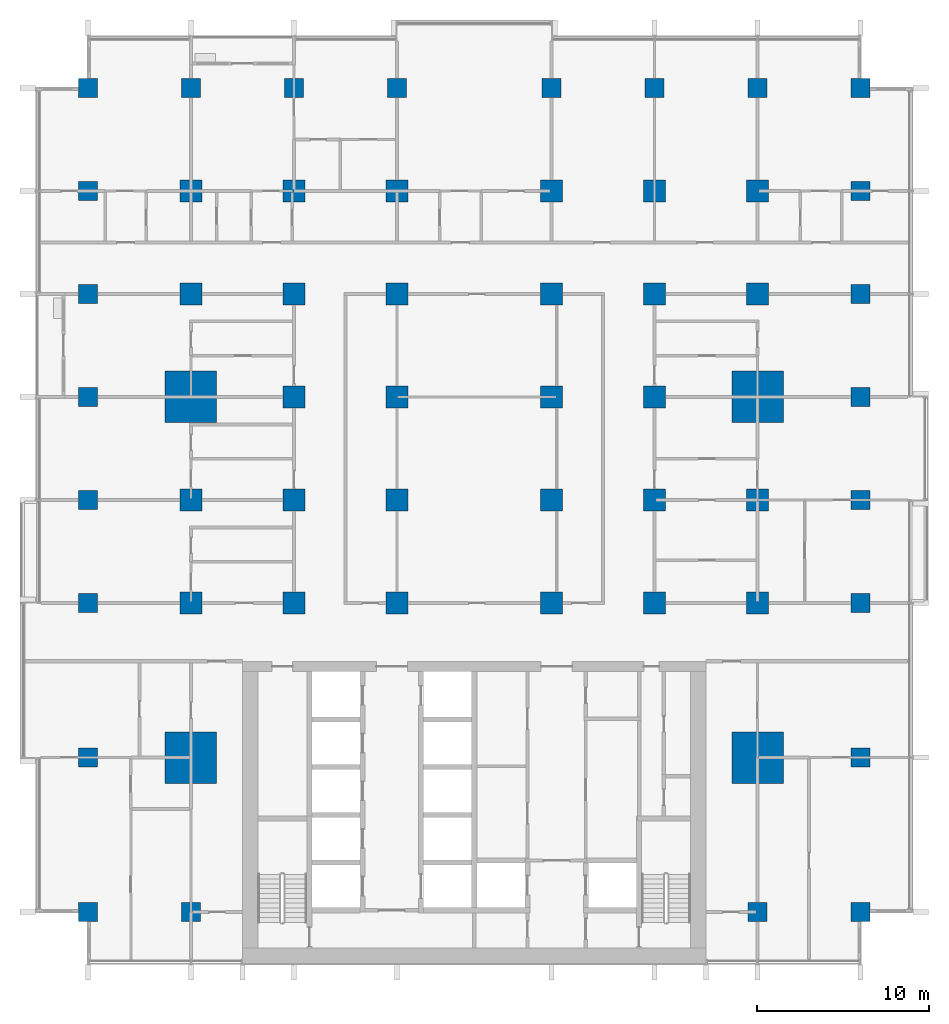
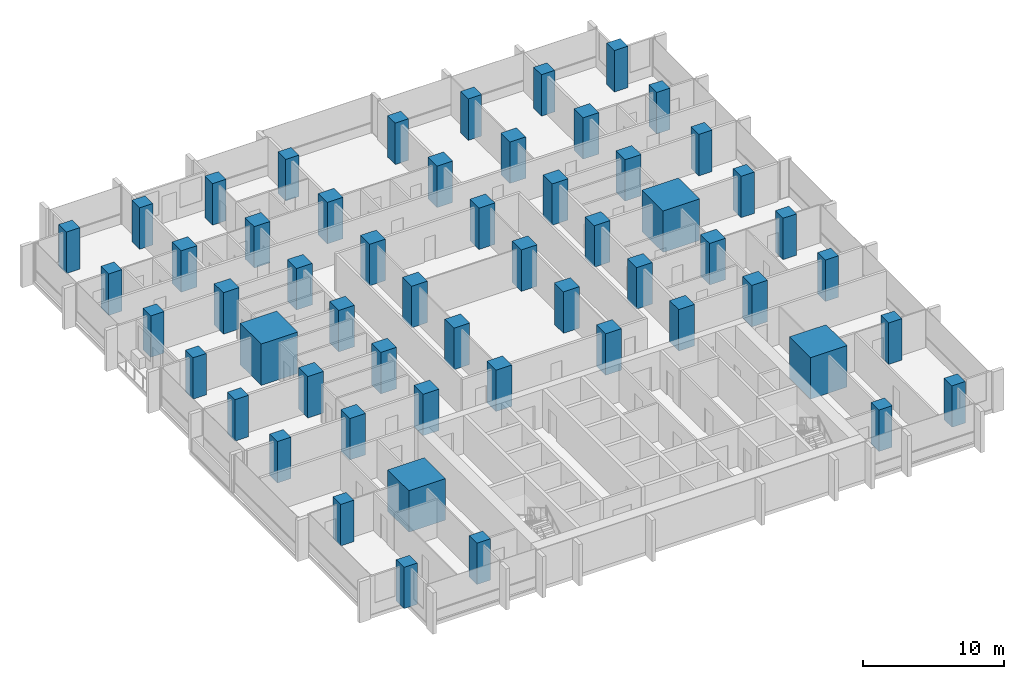
# One storey, part 1 of 17: 56 columns.
"""IFC4 building model written with IfcOpenShell, lengths in metres."""

from ifc_helpers import new_model, si_unit, direction, frame, origin, origin_2d, place, context, subcontext, project, spatial, rectangle, extrude, material, material_profile, profile_set, type_object, element, save


model = new_model("IFC4")

# Units and contexts
model_context = context("Model", 3, precision=1e-05, world=origin(), true_north=direction((0.0, 1.0)))
body_context = subcontext(model_context, "Body", "Model", "MODEL_VIEW")
ifc_project = project(units=[si_unit("LENGTHUNIT", "METRE"), si_unit("AREAUNIT", "SQUARE_METRE"), si_unit("VOLUMEUNIT", "CUBIC_METRE"), si_unit("PLANEANGLEUNIT", "RADIAN"), si_unit("MASSUNIT", "GRAM", prefix="KILO")], contexts=[model_context])

# Site, building, storey
site_placement = place(None, origin())
site = spatial("IfcSite", under=ifc_project, at=site_placement, CompositionType="ELEMENT")
building_placement = place(site_placement, origin())
building = spatial("IfcBuilding", under=site, at=building_placement, Name="Finial Court Residences", CompositionType="ELEMENT")
storey_placement = place(building_placement, frame((0.0, 0.0, 61.300048828125)))
storey = spatial("IfcBuildingStorey", under=building, at=storey_placement, Name="L14", CompositionType="ELEMENT", Elevation=61.300048828125)

# Columns
ifc_material = material(Name="Concrete C80/95", Category="concrete")
ifc_material_profile_1 = material_profile(ifc_material, rectangle(XDim=1.300048828125, YDim=1.300048828125, at=origin_2d()), Name="1300x1300")
ifc_profile_set_1 = profile_set([ifc_material_profile_1], Name="Concrete C80/95")
column_type_1 = type_object("IfcColumnType", Name="Interior column 1300x1300 Concrete C80/95", PredefinedType="COLUMN", material=ifc_profile_set_1)
for number, where, z_axis, x_axis, name in (
    (1, (-16.5, -4.5, 0.0), (0.0, 0.0, 1.0), (1.0, 0.0, 0.0), "S:COL:L14:C4"),
    (2, (-16.5, 1.5, 0.0), (0.0, 0.0, 1.0), (1.0, 0.0, 0.0), "S:COL:L14:C5"),
    (3, (-16.5, 13.5, 0.0), (0.0, 0.0, 1.0), (1.0, 0.0, 0.0), "S:COL:L14:C7"),
    (4, (-16.5, 19.5, 0.0), (0.0, 0.0, 1.0), (1.0, 0.0, 0.0), "S:COL:L14:C8"),
    (5, (-10.5, -4.5, 0.0), (0.0, 0.0, 1.0), (1.0, 0.0, 0.0), "S:COL:L14:D4"),
    (6, (-10.5, 1.5, 0.0), (0.0, 0.0, 1.0), (1.0, 0.0, 0.0), "S:COL:L14:D5"),
    (7, (-10.5, 7.5, 0.0), (0.0, 0.0, 1.0), (1.0, 0.0, 0.0), "S:COL:L14:D6"),
    (8, (-10.5, 13.5, 0.0), (0.0, 0.0, 1.0), (1.0, 0.0, 0.0), "S:COL:L14:D7"),
    (9, (-10.5, 19.5, 0.0), (0.0, 0.0, 1.0), (1.0, 0.0, 0.0), "S:COL:L14:D8"),
    (10, (-4.5, -4.5, 0.0), (0.0, 0.0, 1.0), (1.0, 0.0, 0.0), "S:COL:L14:E4"),
    (11, (-4.5, 1.5, 0.0), (0.0, 0.0, 1.0), (1.0, 0.0, 0.0), "S:COL:L14:E5"),
    (12, (-4.5, 7.5, 0.0), (0.0, 0.0, 1.0), (1.0, 0.0, 0.0), "S:COL:L14:E6"),
    (13, (-4.5, 13.5, 0.0), (0.0, 0.0, 1.0), (1.0, 0.0, 0.0), "S:COL:L14:E7"),
    (14, (-4.5, 19.5, 0.0), (0.0, 0.0, 1.0), (1.0, 0.0, 0.0), "S:COL:L14:E8"),
    (15, (4.5, -4.5, 0.0), (0.0, 0.0, 1.0), (1.0, 0.0, 0.0), "S:COL:L14:F4"),
    (16, (4.5, 1.5, 0.0), (0.0, 0.0, 1.0), (1.0, 0.0, 0.0), "S:COL:L14:F5"),
    (17, (4.5, 7.5, 0.0), (0.0, 0.0, 1.0), (1.0, 0.0, 0.0), "S:COL:L14:F6"),
    (18, (4.5, 13.5, 0.0), (0.0, 0.0, 1.0), (1.0, 0.0, 0.0), "S:COL:L14:F7"),
    (19, (4.5, 19.5, 0.0), (0.0, 0.0, 1.0), (1.0, 0.0, 0.0), "S:COL:L14:F8"),
    (20, (10.5, -4.5, 0.0), (0.0, 0.0, 1.0), (1.0, 0.0, 0.0), "S:COL:L14:G4"),
    (21, (10.5, 1.5, 0.0), (0.0, 0.0, 1.0), (1.0, 0.0, 0.0), "S:COL:L14:G5"),
    (22, (10.5, 7.5, 0.0), (0.0, 0.0, 1.0), (1.0, 0.0, 0.0), "S:COL:L14:G6"),
    (23, (10.5, 13.5, 0.0), (0.0, 0.0, 1.0), (1.0, 0.0, 0.0), "S:COL:L14:G7"),
    (24, (10.5, 19.5, 0.0), (0.0, 0.0, 1.0), (1.0, 0.0, 0.0), "S:COL:L14:G8"),
    (25, (16.5, -4.5, 0.0), (0.0, 0.0, 1.0), (1.0, 0.0, 0.0), "S:COL:L14:H4"),
    (26, (16.5, 1.5, 0.0), (0.0, 0.0, 1.0), (1.0, 0.0, 0.0), "S:COL:L14:H5"),
    (27, (16.5, 13.5, 0.0), (0.0, 0.0, 1.0), (1.0, 0.0, 0.0), "S:COL:L14:H7"),
    (28, (16.5, 19.5, 0.0), (0.0, 0.0, 1.0), (1.0, 0.0, 0.0), "S:COL:L14:H8"),
):
    element("IfcColumn", number, at=place(storey_placement, frame(where, z_axis=z_axis, x_axis=x_axis)), inside=storey, type_object=column_type_1, Name=name, PredefinedType="COLUMN", context=body_context, shape_type="SweptSolid", body=[
        extrude(rectangle(XDim=1.300048828125, YDim=1.300048828125, at=origin_2d()), origin(), (0.0, 0.0, 1.0), 3.599853515625),
    ])
ifc_material_profile_2 = material_profile(ifc_material, rectangle(XDim=3.0, YDim=3.0, at=origin_2d()), Name="3000x3000")
ifc_profile_set_2 = profile_set([ifc_material_profile_2], Name="Concrete C80/95")
column_type_2 = type_object("IfcColumnType", Name="Mega column 3000x3000 Concrete C80/95", PredefinedType="COLUMN", material=ifc_profile_set_2)
for number, where, z_axis, x_axis, name in (
    (29, (-16.5, -13.5, 0.0), (0.0, 0.0, 1.0), (1.0, 0.0, 0.0), "S:COL:L14:C3"),
    (30, (-16.5, 7.5, 0.0), (0.0, 0.0, 1.0), (1.0, 0.0, 0.0), "S:COL:L14:C6"),
    (31, (16.5, -13.5, 0.0), (0.0, 0.0, 1.0), (1.0, 0.0, 0.0), "S:COL:L14:H3"),
    (32, (16.5, 7.5, 0.0), (0.0, 0.0, 1.0), (1.0, 0.0, 0.0), "S:COL:L14:H6"),
):
    element("IfcColumn", number, at=place(storey_placement, frame(where, z_axis=z_axis, x_axis=x_axis)), inside=storey, type_object=column_type_2, Name=name, PredefinedType="COLUMN", context=body_context, shape_type="SweptSolid", body=[
        extrude(rectangle(XDim=3.0, YDim=3.0, at=origin_2d()), origin(), (0.0, 0.0, 1.0), 3.599853515625),
    ])
ifc_material_profile_3 = material_profile(ifc_material, rectangle(XDim=1.10009765625, YDim=1.10009765625, at=origin_2d()), Name="1100x1100")
ifc_profile_set_3 = profile_set([ifc_material_profile_3], Name="Concrete C80/95")
column_type_3 = type_object("IfcColumnType", Name="Perimeter column 1100x1100 Concrete C80/95", PredefinedType="COLUMN", material=ifc_profile_set_3)
for number, where, z_axis, x_axis, name in (
    (33, (-22.5, -22.5, 0.0), (0.0, 0.0, 1.0), (1.0, 0.0, 0.0), "S:COL:L14:B2"),
    (34, (-22.5, -13.5, 0.0), (0.0, 0.0, 1.0), (1.0, 0.0, 0.0), "S:COL:L14:B3"),
    (35, (-22.5, -4.5, 0.0), (0.0, 0.0, 1.0), (1.0, 0.0, 0.0), "S:COL:L14:B4"),
    (36, (-22.5, 1.5, 0.0), (0.0, 0.0, 1.0), (1.0, 0.0, 0.0), "S:COL:L14:B5"),
    (37, (-22.5, 7.5, 0.0), (0.0, 0.0, 1.0), (1.0, 0.0, 0.0), "S:COL:L14:B6"),
    (38, (-22.5, 13.5, 0.0), (0.0, 0.0, 1.0), (1.0, 0.0, 0.0), "S:COL:L14:B7"),
    (39, (-22.5, 19.5, 0.0), (0.0, 0.0, 1.0), (1.0, 0.0, 0.0), "S:COL:L14:B8"),
    (40, (-22.5, 25.5, 0.0), (0.0, 0.0, 1.0), (1.0, 0.0, 0.0), "S:COL:L14:B9"),
    (41, (-16.5, -22.5, 0.0), (0.0, 0.0, 1.0), (1.0, 0.0, 0.0), "S:COL:L14:C2"),
    (42, (-16.5, 25.5, 0.0), (0.0, 0.0, 1.0), (1.0, 0.0, 0.0), "S:COL:L14:C9"),
    (43, (-10.5, 25.5, 0.0), (0.0, 0.0, 1.0), (1.0, 0.0, 0.0), "S:COL:L14:D9"),
    (44, (-4.5, 25.5, 0.0), (0.0, 0.0, 1.0), (1.0, 0.0, 0.0), "S:COL:L14:E9"),
    (45, (4.5, 25.5, 0.0), (0.0, 0.0, 1.0), (1.0, 0.0, 0.0), "S:COL:L14:F9"),
    (46, (10.5, 25.5, 0.0), (0.0, 0.0, 1.0), (1.0, 0.0, 0.0), "S:COL:L14:G9"),
    (47, (16.5, -22.5, 0.0), (0.0, 0.0, 1.0), (1.0, 0.0, 0.0), "S:COL:L14:H2"),
    (48, (16.5, 25.5, 0.0), (0.0, 0.0, 1.0), (1.0, 0.0, 0.0), "S:COL:L14:H9"),
    (49, (22.5, -22.5, 0.0), (0.0, 0.0, 1.0), (1.0, 0.0, 0.0), "S:COL:L14:I2"),
    (50, (22.5, -13.5, 0.0), (0.0, 0.0, 1.0), (1.0, 0.0, 0.0), "S:COL:L14:I3"),
    (51, (22.5, -4.5, 0.0), (0.0, 0.0, 1.0), (1.0, 0.0, 0.0), "S:COL:L14:I4"),
    (52, (22.5, 1.5, 0.0), (0.0, 0.0, 1.0), (1.0, 0.0, 0.0), "S:COL:L14:I5"),
    (53, (22.5, 7.5, 0.0), (0.0, 0.0, 1.0), (1.0, 0.0, 0.0), "S:COL:L14:I6"),
    (54, (22.5, 13.5, 0.0), (0.0, 0.0, 1.0), (1.0, 0.0, 0.0), "S:COL:L14:I7"),
    (55, (22.5, 19.5, 0.0), (0.0, 0.0, 1.0), (1.0, 0.0, 0.0), "S:COL:L14:I8"),
    (56, (22.5, 25.5, 0.0), (0.0, 0.0, 1.0), (1.0, 0.0, 0.0), "S:COL:L14:I9"),
):
    element("IfcColumn", number, at=place(storey_placement, frame(where, z_axis=z_axis, x_axis=x_axis)), inside=storey, type_object=column_type_3, Name=name, PredefinedType="COLUMN", context=body_context, shape_type="SweptSolid", body=[
        extrude(rectangle(XDim=1.10009765625, YDim=1.10009765625, at=origin_2d()), origin(), (0.0, 0.0, 1.0), 3.599853515625),
    ])

save(model, "model.ifc")
